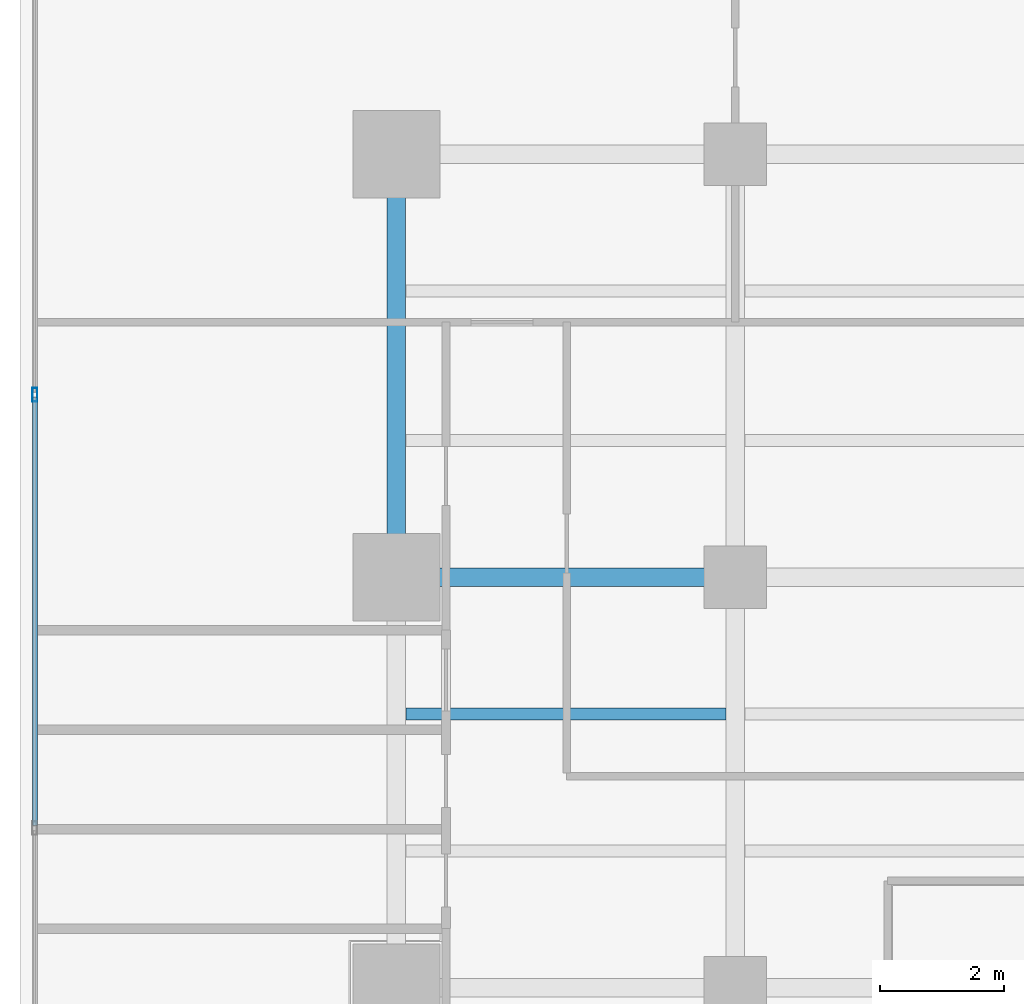
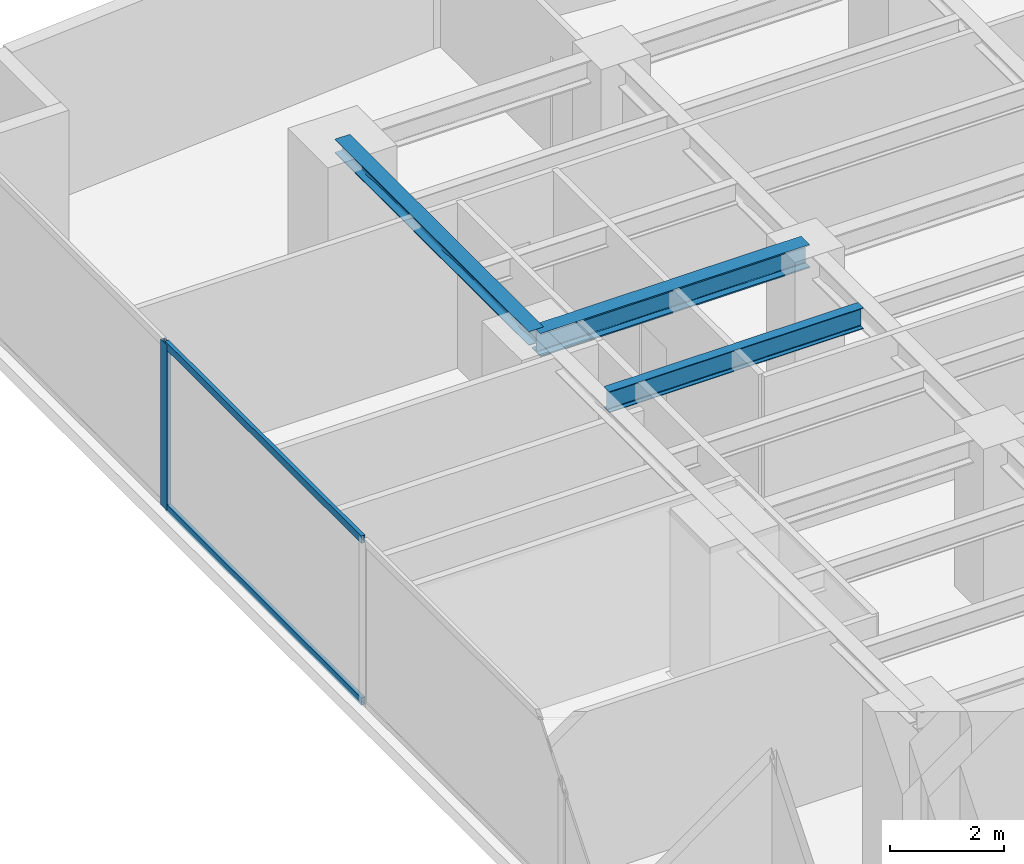
# One storey, part 16 of 29: 3 beams, 3 members, 1 element without a shape of its own.
"""IFC4 building model written with IfcOpenShell, lengths in metres."""

from ifc_helpers import new_model, si_unit, direction, frame, origin, origin_with_axes, origin_2d, place, context, subcontext, project, spatial, hollow_rectangle, i_section, extrude, source, transform, mapped, material, layer, layer_set, material_profile, profile_set, type_object, element, aggregate, save


model = new_model("IFC4")

# Units and contexts
model_context = context("Model", 3, precision=1e-05, world=origin(), true_north=direction((0.0, 1.0)))
body_context = subcontext(model_context, "Body", "Model", "MODEL_VIEW")
ifc_project = project(units=[si_unit("LENGTHUNIT", "METRE"), si_unit("AREAUNIT", "SQUARE_METRE"), si_unit("VOLUMEUNIT", "CUBIC_METRE"), si_unit("PLANEANGLEUNIT", "RADIAN"), si_unit("MASSUNIT", "GRAM", prefix="KILO")], contexts=[model_context])

# Site, building, storey
site_placement = place(None, origin())
site = spatial("IfcSite", under=ifc_project, at=site_placement, CompositionType="ELEMENT")
building_placement = place(site_placement, origin())
building = spatial("IfcBuilding", under=site, at=building_placement, Name="Kolvaren Waterfront Exchange", CompositionType="ELEMENT")
storey_placement = place(building_placement, frame((0.0, 0.0, 129.699951171875)))
storey = spatial("IfcBuildingStorey", under=building, at=storey_placement, Name="L33", CompositionType="ELEMENT", Elevation=129.699951171875)

# Beams
ifc_material_1 = material(Name="Steel S355", Category="steel")
ifc_material_profile_1 = material_profile(ifc_material_1, i_section(OverallWidth=0.300048828125, OverallDepth=0.300048828125, WebThickness=0.010986328125, FlangeThickness=0.01904296875, FilletRadius=0.027099609375, at=origin_2d()), Name="HEB300")
ifc_profile_set_1 = profile_set([ifc_material_profile_1], Name="Steel S355")
beam_type_1 = type_object("IfcBeamType", Name="STR-BM-HEB300", PredefinedType="SPANDREL", material=ifc_profile_set_1)
beam_1_placement = place(storey_placement, frame((7.449951171875, 37.800048828125, 3.39013671875), z_axis=(0.0, 1.0, 0.0), x_axis=(-1.0, 0.0, 0.0)))
element("IfcBeam", 1, at=beam_1_placement, inside=storey, type_object=beam_type_1, Name="L33 north-arm edge beam 3", PredefinedType="SPANDREL", context=body_context, shape_type="SweptSolid", body=[
    extrude(i_section(OverallWidth=0.300048828125, OverallDepth=0.300048828125, WebThickness=0.010986328125, FlangeThickness=0.01904296875, FilletRadius=0.027099609375, at=origin_2d()), origin(), (0.0, 0.0, 1.0), 6.800048828125),
])
ifc_material_profile_2 = material_profile(ifc_material_1, i_section(OverallWidth=0.300048828125, OverallDepth=0.5, WebThickness=0.014404296875, FlangeThickness=0.028076171875, FilletRadius=0.027099609375, at=origin_2d()), Name="HEB500")
ifc_profile_set_2 = profile_set([ifc_material_profile_2], Name="Steel S355")
beam_type_2 = type_object("IfcBeamType", Name="STR-BM-HEB500", PredefinedType="BEAM", material=ifc_profile_set_2)
beam_2_placement = place(storey_placement, frame((7.449951171875, 37.800048828125, 3.2900390625), z_axis=(1.0, 0.0, 0.0), x_axis=(0.0, 1.0, 0.0)))
element("IfcBeam", 2, at=beam_2_placement, inside=storey, type_object=beam_type_2, Name="L33 north-arm girder 3A", PredefinedType="BEAM", context=body_context, shape_type="SweptSolid", body=[
    extrude(i_section(OverallWidth=0.300048828125, OverallDepth=0.5, WebThickness=0.014404296875, FlangeThickness=0.028076171875, FilletRadius=0.027099609375, at=origin_2d()), origin(), (0.0, 0.0, 1.0), 5.449951171875),
])
ifc_material_profile_3 = material_profile(ifc_material_1, i_section(OverallWidth=0.18994140625, OverallDepth=0.449951171875, WebThickness=0.009521484375, FlangeThickness=0.0146484375, FilletRadius=0.02099609375, at=origin_2d()), Name="IPE450")
ifc_profile_set_3 = profile_set([ifc_material_profile_3], Name="Steel S355")
beam_type_3 = type_object("IfcBeamType", Name="STR-BM-IPE450", PredefinedType="JOIST", material=ifc_profile_set_3)
beam_3_placement = place(storey_placement, frame((7.60205078125, 35.60009765625, 3.31494140625), z_axis=(1.0, 0.0, 0.0), x_axis=(0.0, 1.0, 0.0)))
element("IfcBeam", 3, at=beam_3_placement, inside=storey, type_object=beam_type_3, Name="L33 north-arm composite joist 4A", PredefinedType="JOIST", context=body_context, shape_type="SweptSolid", body=[
    extrude(i_section(OverallWidth=0.18994140625, OverallDepth=0.449951171875, WebThickness=0.009521484375, FlangeThickness=0.0146484375, FilletRadius=0.02099609375, at=origin_2d()), origin(), (0.0, 0.0, 1.0), 5.14599609375),
])

# Curtain wall, members
ifc_material_2 = material(Name="Anodised aluminium 6063-T6", Category="aluminium")
ifc_layer = layer(ifc_material_2, 0.219970703125, Name="Anodised aluminium 6063-T6")
ifc_layer_set = layer_set([ifc_layer], Name="Anodised aluminium 6063-T6")
curtain_wall_type = type_object("IfcCurtainWallType", Name="ARC-CW-SYS2", PredefinedType="USERDEFINED", material=ifc_layer_set)
curtain_wall_placement = place(storey_placement, origin())
curtain_wall = element("IfcCurtainWall", 4, at=curtain_wall_placement, inside=storey, type_object=curtain_wall_type, Name="L33 stick curtain wall CW2 (CW-L33-W)", ObjectType="STICK CURTAIN WALL", PredefinedType="USERDEFINED")
ifc_material_profile_4 = material_profile(ifc_material_2, hollow_rectangle(XDim=0.080078125, YDim=0.219970703125, WallThickness=0.0048828125, at=origin_2d()), Name="ALU-MUL-220x80x5")
ifc_profile_set_4 = profile_set([ifc_material_profile_4], Name="Anodised aluminium 6063-T6")
member_type_1 = type_object("IfcMemberType", Name="ARC-CWM-220", PredefinedType="MULLION", material=ifc_profile_set_4)
shared_shape_1 = source(origin_with_axes(), body_context, "Body", "SweptSolid", [
    extrude(hollow_rectangle(XDim=0.080078125, YDim=0.219970703125, WallThickness=0.0048828125, at=origin_2d()), origin(), (0.0, 0.0, 1.0), 3.5400390625),
])
member_1_placement = place(storey_placement, frame((1.639892578125, 40.7333984375, 0.0), z_axis=(0.0, 0.0, 1.0), x_axis=(-1.0, 0.0, 0.0)))
member_1 = element("IfcMember", 5, at=member_1_placement, type_object=member_type_1, Name="CW2 mullion 6", PredefinedType="MULLION", context=body_context, shape_type="MappedRepresentation", body=[
    mapped(shared_shape_1, transform((0.0, 0.0, 0.0), x_axis=(1.0, 0.0, 0.0), y_axis=(0.0, 1.0, 0.0), z_axis=(0.0, 0.0, 1.0), scale=1.0)),
])
ifc_material_profile_5 = material_profile(ifc_material_2, hollow_rectangle(XDim=0.074951171875, YDim=0.159912109375, WallThickness=0.00439453125, at=origin_2d()), Name="ALU-TRN-160x75x4.5")
ifc_profile_set_5 = profile_set([ifc_material_profile_5], Name="Anodised aluminium 6063-T6")
member_type_2 = type_object("IfcMemberType", Name="ARC-CWT-160", PredefinedType="USERDEFINED", material=ifc_profile_set_5)
shared_shape_2 = source(origin_with_axes(), body_context, "Body", "SweptSolid", [
    extrude(hollow_rectangle(XDim=0.074951171875, YDim=0.159912109375, WallThickness=0.00439453125, at=origin_2d()), origin(), (0.0, 0.0, 1.0), 6.88671875),
])
member_2_placement = place(storey_placement, frame((1.639892578125, 33.806640625, 0.03759765625), z_axis=(0.0, 1.0, 0.0), x_axis=(-1.0, 0.0, 0.0)))
member_2 = element("IfcMember", 6, at=member_2_placement, type_object=member_type_2, Name="CW2 transom 5.1", ObjectType="TRANSOM", PredefinedType="USERDEFINED", context=body_context, shape_type="MappedRepresentation", body=[
    mapped(shared_shape_2, transform((0.0, 0.0, 0.0), x_axis=(1.0, 0.0, 0.0), y_axis=(0.0, 1.0, 0.0), z_axis=(0.0, 0.0, 1.0), scale=1.0)),
])
member_3_placement = place(storey_placement, frame((1.639892578125, 33.806640625, 3.50244140625), z_axis=(0.0, 1.0, 0.0), x_axis=(-1.0, 0.0, 0.0)))
member_3 = element("IfcMember", 7, at=member_3_placement, type_object=member_type_2, Name="CW2 transom 5.2", ObjectType="TRANSOM", PredefinedType="USERDEFINED", context=body_context, shape_type="MappedRepresentation", body=[
    mapped(shared_shape_2, transform((0.0, 0.0, 0.0), x_axis=(1.0, 0.0, 0.0), y_axis=(0.0, 1.0, 0.0), z_axis=(0.0, 0.0, 1.0), scale=1.0)),
])
aggregate(curtain_wall, [member_1, member_2, member_3])

save(model, "model.ifc")
